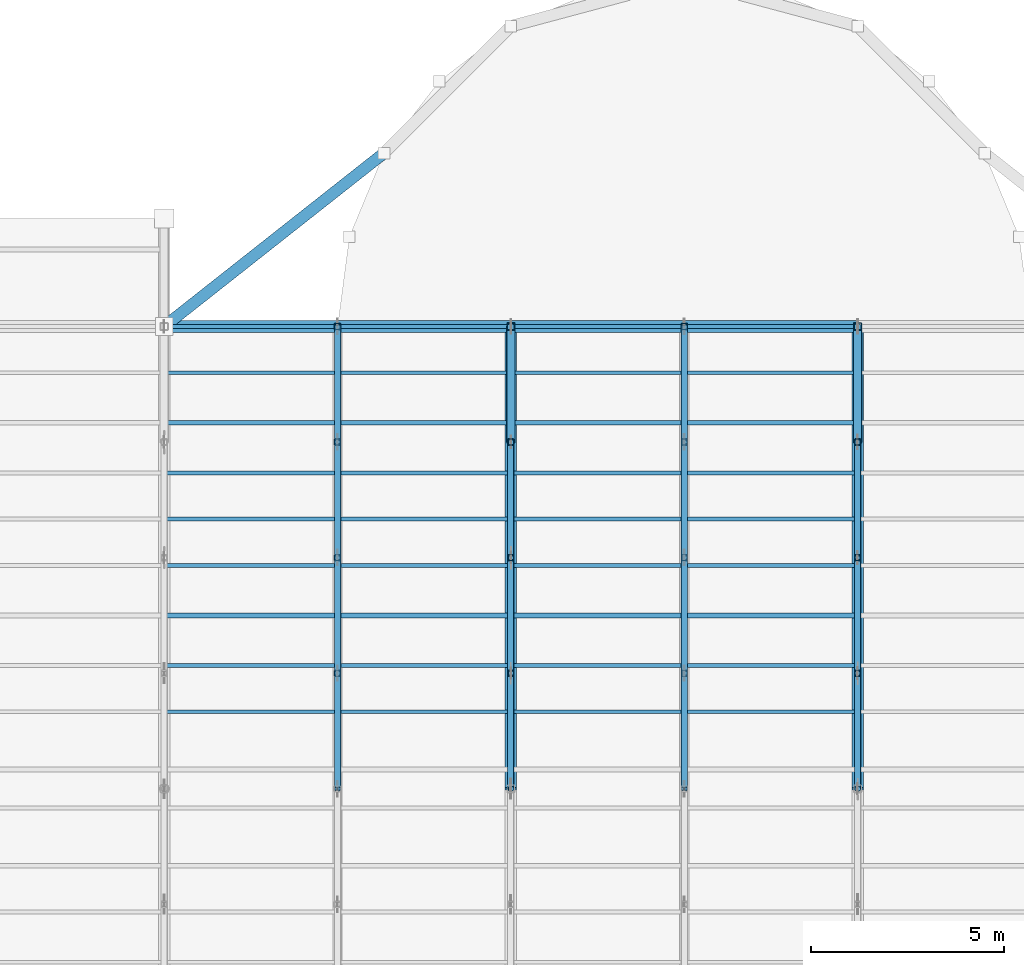
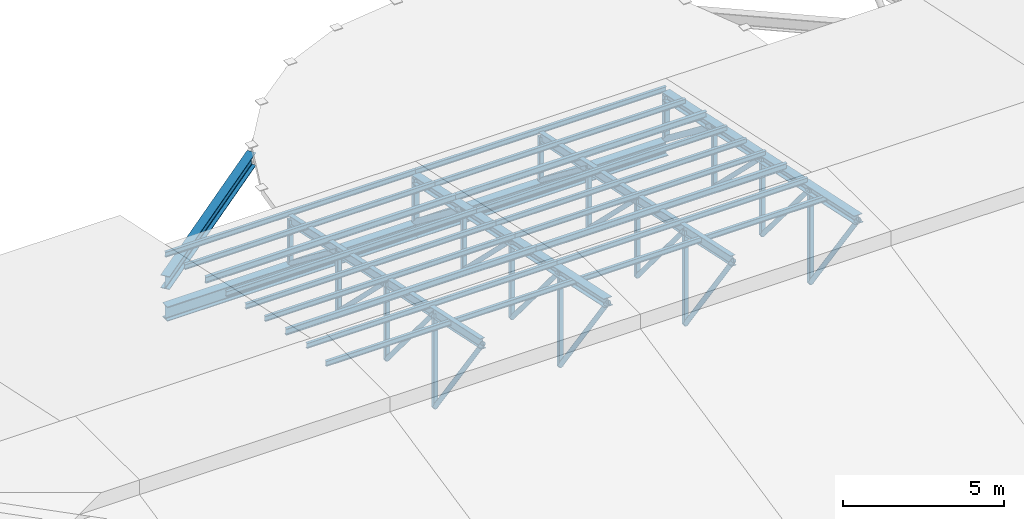
# One storey, part 19 of 43: 54 members, 3 beams.
"""IFC4 building model written with IfcOpenShell, lengths in metres."""

from ifc_helpers import new_model, si_unit, direction, frame, origin, origin_2d, place, context, subcontext, project, spatial, hollow_rectangle, hollow_circle, i_section, extrude, material, material_profile, profile_set, type_object, element, save


model = new_model("IFC4")

# Units and contexts
model_context = context("Model", 3, precision=1e-05, world=origin(), true_north=direction((0.0, 1.0)))
body_context = subcontext(model_context, "Body", "Model", "MODEL_VIEW")
ifc_project = project(units=[si_unit("LENGTHUNIT", "METRE"), si_unit("AREAUNIT", "SQUARE_METRE"), si_unit("VOLUMEUNIT", "CUBIC_METRE"), si_unit("PLANEANGLEUNIT", "RADIAN"), si_unit("MASSUNIT", "GRAM", prefix="KILO")], contexts=[model_context])

# Site, building, storey
site_placement = place(None, origin())
site = spatial("IfcSite", under=ifc_project, at=site_placement, CompositionType="ELEMENT")
building_placement = place(site_placement, origin())
building = spatial("IfcBuilding", under=site, at=building_placement, Name="Serraforn Aerial Cableway Station", CompositionType="ELEMENT")
storey_placement = place(building_placement, frame((0.0, 0.0, 18.300048828125)))
storey = spatial("IfcBuildingStorey", under=building, at=storey_placement, Name="RF", CompositionType="ELEMENT", Elevation=18.300048828125)

# Beams
ifc_material_1 = material(Name="Steel S355J2", Category="steel")
ifc_material_profile_1 = material_profile(ifc_material_1, i_section(OverallWidth=0.300048828125, OverallDepth=0.5, WebThickness=0.011962890625, FlangeThickness=0.02294921875, FilletRadius=0.027099609375, at=origin_2d()), Name="HEA 500")
ifc_profile_set_1 = profile_set([ifc_material_profile_1], Name="Steel S355J2")
beam_type_1 = type_object("IfcBeamType", Name="BM-ST-HEA500", PredefinedType="USERDEFINED", material=ifc_profile_set_1)
beam_placement = place(storey_placement, frame((45.60009765625, 42.0, -0.5), z_axis=(0.785189683878, 0.619255327253, 0.0), x_axis=(-0.619255327253, 0.785189683878, 0.0)))
element("IfcBeam", 1, at=beam_placement, inside=storey, type_object=beam_type_1, Name="Apse Roof Ring Girder 1", ObjectType="GIRDER", PredefinedType="USERDEFINED", context=body_context, shape_type="SweptSolid", body=[
    extrude(i_section(OverallWidth=0.300048828125, OverallDepth=0.5, WebThickness=0.011962890625, FlangeThickness=0.02294921875, FilletRadius=0.027099609375, at=origin_2d()), origin(), (0.0, 0.0, 1.0), 7.266845703125),
])
ifc_material_profile_2 = material_profile(ifc_material_1, i_section(OverallWidth=0.300048828125, OverallDepth=0.550048828125, WebThickness=0.014892578125, FlangeThickness=0.029052734375, FilletRadius=0.027099609375, at=origin_2d()), Name="HEB 550")
ifc_profile_set_2 = profile_set([ifc_material_profile_2], Name="Steel S355J2")
beam_type_2 = type_object("IfcBeamType", Name="BM-ST-HEB550", PredefinedType="USERDEFINED", material=ifc_profile_set_2)
for number, where, z_axis, x_axis, name in (
    (2, (45.60009765625, 42.0, -1.625), (1.0, 0.0, 0.0), (0.0, 1.0, 0.0), "Boarding Hall Eave Girder N-3"),
    (3, (54.60009765625, 42.0, -1.625), (1.0, 0.0, 0.0), (0.0, 1.0, 0.0), "Boarding Hall Eave Girder N-4"),
):
    element("IfcBeam", number, at=place(storey_placement, frame(where, z_axis=z_axis, x_axis=x_axis)), inside=storey, type_object=beam_type_2, Name=name, ObjectType="GIRDER", PredefinedType="USERDEFINED", context=body_context, shape_type="SweptSolid", body=[
        extrude(i_section(OverallWidth=0.300048828125, OverallDepth=0.550048828125, WebThickness=0.014892578125, FlangeThickness=0.029052734375, FilletRadius=0.027099609375, at=origin_2d()), origin(), (0.0, 0.0, 1.0), 9.0),
    ])

# Members
ifc_material_profile_3 = material_profile(ifc_material_1, hollow_circle(Radius=0.084228515625, WallThickness=0.008056640625, at=origin_2d()), Name="CHS 168.3x8.0")
ifc_profile_set_3 = profile_set([ifc_material_profile_3], Name="Steel S355J2")
member_type_1 = type_object("IfcMemberType", Name="MEM-DG-CHS168", PredefinedType="BRACE", material=ifc_profile_set_3)
member_1_placement = place(storey_placement, frame((54.60009765625, 30.0, 2.8759765625), z_axis=(0.0, 0.578856146563, -0.815429679118), x_axis=(-1.0, 0.0, 0.0)))
element("IfcMember", 4, at=member_1_placement, inside=storey, type_object=member_type_1, Name="Roof Truss TR-04 Diagonal 5", PredefinedType="BRACE", context=body_context, shape_type="SweptSolid", body=[
    extrude(hollow_circle(Radius=0.084228515625, WallThickness=0.008056640625, at=origin_2d()), origin(), (0.0, 0.0, 1.0), 5.1826171875),
])
member_2_placement = place(storey_placement, frame((54.60009765625, 33.0, 2.23828125), z_axis=(0.0, 0.641405529785, -0.767202024477), x_axis=(-1.0, 0.0, 0.0)))
element("IfcMember", 5, at=member_2_placement, inside=storey, type_object=member_type_1, Name="Roof Truss TR-04 Diagonal 6", PredefinedType="BRACE", context=body_context, shape_type="SweptSolid", body=[
    extrude(hollow_circle(Radius=0.084228515625, WallThickness=0.008056640625, at=origin_2d()), origin(), (0.0, 0.0, 1.0), 4.67724609375),
])
member_3_placement = place(storey_placement, frame((54.60009765625, 36.0, 1.6005859375), z_axis=(0.0, 0.71294245933, -0.701222539344), x_axis=(-1.0, 0.0, 0.0)))
element("IfcMember", 6, at=member_3_placement, inside=storey, type_object=member_type_1, Name="Roof Truss TR-04 Diagonal 7", PredefinedType="BRACE", context=body_context, shape_type="SweptSolid", body=[
    extrude(hollow_circle(Radius=0.084228515625, WallThickness=0.008056640625, at=origin_2d()), origin(), (0.0, 0.0, 1.0), 4.2080078125),
])
member_4_placement = place(storey_placement, frame((63.60009765625, 30.0, 2.8759765625), z_axis=(0.0, 0.578856146563, -0.815429679118), x_axis=(-1.0, 0.0, 0.0)))
element("IfcMember", 7, at=member_4_placement, inside=storey, type_object=member_type_1, Name="Roof Truss TR-05 Diagonal 5", PredefinedType="BRACE", context=body_context, shape_type="SweptSolid", body=[
    extrude(hollow_circle(Radius=0.084228515625, WallThickness=0.008056640625, at=origin_2d()), origin(), (0.0, 0.0, 1.0), 5.1826171875),
])
member_5_placement = place(storey_placement, frame((63.60009765625, 33.0, 2.23828125), z_axis=(0.0, 0.641405529785, -0.767202024477), x_axis=(-1.0, 0.0, 0.0)))
element("IfcMember", 8, at=member_5_placement, inside=storey, type_object=member_type_1, Name="Roof Truss TR-05 Diagonal 6", PredefinedType="BRACE", context=body_context, shape_type="SweptSolid", body=[
    extrude(hollow_circle(Radius=0.084228515625, WallThickness=0.008056640625, at=origin_2d()), origin(), (0.0, 0.0, 1.0), 4.67724609375),
])
member_6_placement = place(storey_placement, frame((63.60009765625, 36.0, 1.6005859375), z_axis=(0.0, 0.71294245933, -0.701222539344), x_axis=(-1.0, 0.0, 0.0)))
element("IfcMember", 9, at=member_6_placement, inside=storey, type_object=member_type_1, Name="Roof Truss TR-05 Diagonal 7", PredefinedType="BRACE", context=body_context, shape_type="SweptSolid", body=[
    extrude(hollow_circle(Radius=0.084228515625, WallThickness=0.008056640625, at=origin_2d()), origin(), (0.0, 0.0, 1.0), 4.2080078125),
])
member_7_placement = place(storey_placement, frame((50.10009765625, 30.0, 2.8759765625), z_axis=(0.0, 0.578856146563, -0.815429679118), x_axis=(-1.0, 0.0, 0.0)))
element("IfcMember", 10, at=member_7_placement, inside=storey, type_object=member_type_1, Name="Intermediate Truss TRM-03 Diagonal 5", PredefinedType="BRACE", context=body_context, shape_type="SweptSolid", body=[
    extrude(hollow_circle(Radius=0.084228515625, WallThickness=0.008056640625, at=origin_2d()), origin(), (0.0, 0.0, 1.0), 5.1826171875),
])
member_8_placement = place(storey_placement, frame((50.10009765625, 33.0, 2.23828125), z_axis=(0.0, 0.641405529785, -0.767202024477), x_axis=(-1.0, 0.0, 0.0)))
element("IfcMember", 11, at=member_8_placement, inside=storey, type_object=member_type_1, Name="Intermediate Truss TRM-03 Diagonal 6", PredefinedType="BRACE", context=body_context, shape_type="SweptSolid", body=[
    extrude(hollow_circle(Radius=0.084228515625, WallThickness=0.008056640625, at=origin_2d()), origin(), (0.0, 0.0, 1.0), 4.67724609375),
])
member_9_placement = place(storey_placement, frame((50.10009765625, 36.0, 1.6005859375), z_axis=(0.0, 0.71294245933, -0.701222539344), x_axis=(-1.0, 0.0, 0.0)))
element("IfcMember", 12, at=member_9_placement, inside=storey, type_object=member_type_1, Name="Intermediate Truss TRM-03 Diagonal 7", PredefinedType="BRACE", context=body_context, shape_type="SweptSolid", body=[
    extrude(hollow_circle(Radius=0.084228515625, WallThickness=0.008056640625, at=origin_2d()), origin(), (0.0, 0.0, 1.0), 4.2080078125),
])
member_10_placement = place(storey_placement, frame((50.10009765625, 39.0, 0.962890625), z_axis=(0.0, 0.791947867333, -0.610588712168), x_axis=(-1.0, 0.0, 0.0)))
element("IfcMember", 13, at=member_10_placement, inside=storey, type_object=member_type_1, Name="Intermediate Truss TRM-03 Diagonal 8", PredefinedType="BRACE", context=body_context, shape_type="SweptSolid", body=[
    extrude(hollow_circle(Radius=0.084228515625, WallThickness=0.008056640625, at=origin_2d()), origin(), (0.0, 0.0, 1.0), 3.7880859375),
])
member_11_placement = place(storey_placement, frame((59.10009765625, 30.0, 2.8759765625), z_axis=(0.0, 0.578856146563, -0.815429679118), x_axis=(-1.0, 0.0, 0.0)))
element("IfcMember", 14, at=member_11_placement, inside=storey, type_object=member_type_1, Name="Intermediate Truss TRM-04 Diagonal 5", PredefinedType="BRACE", context=body_context, shape_type="SweptSolid", body=[
    extrude(hollow_circle(Radius=0.084228515625, WallThickness=0.008056640625, at=origin_2d()), origin(), (0.0, 0.0, 1.0), 5.1826171875),
])
member_12_placement = place(storey_placement, frame((59.10009765625, 33.0, 2.23828125), z_axis=(0.0, 0.641405529785, -0.767202024477), x_axis=(-1.0, 0.0, 0.0)))
element("IfcMember", 15, at=member_12_placement, inside=storey, type_object=member_type_1, Name="Intermediate Truss TRM-04 Diagonal 6", PredefinedType="BRACE", context=body_context, shape_type="SweptSolid", body=[
    extrude(hollow_circle(Radius=0.084228515625, WallThickness=0.008056640625, at=origin_2d()), origin(), (0.0, 0.0, 1.0), 4.67724609375),
])
member_13_placement = place(storey_placement, frame((59.10009765625, 36.0, 1.6005859375), z_axis=(0.0, 0.71294245933, -0.701222539344), x_axis=(-1.0, 0.0, 0.0)))
element("IfcMember", 16, at=member_13_placement, inside=storey, type_object=member_type_1, Name="Intermediate Truss TRM-04 Diagonal 7", PredefinedType="BRACE", context=body_context, shape_type="SweptSolid", body=[
    extrude(hollow_circle(Radius=0.084228515625, WallThickness=0.008056640625, at=origin_2d()), origin(), (0.0, 0.0, 1.0), 4.2080078125),
])
member_14_placement = place(storey_placement, frame((59.10009765625, 39.0, 0.962890625), z_axis=(0.0, 0.791947867333, -0.610588712168), x_axis=(-1.0, 0.0, 0.0)))
element("IfcMember", 17, at=member_14_placement, inside=storey, type_object=member_type_1, Name="Intermediate Truss TRM-04 Diagonal 8", PredefinedType="BRACE", context=body_context, shape_type="SweptSolid", body=[
    extrude(hollow_circle(Radius=0.084228515625, WallThickness=0.008056640625, at=origin_2d()), origin(), (0.0, 0.0, 1.0), 3.7880859375),
])
ifc_material_profile_4 = material_profile(ifc_material_1, hollow_circle(Radius=0.109619140625, WallThickness=0.010009765625, at=origin_2d()), Name="CHS 219.1x10.0")
ifc_profile_set_4 = profile_set([ifc_material_profile_4], Name="Steel S355J2")
member_type_2 = type_object("IfcMemberType", Name="MEM-DG-CHS219", PredefinedType="BRACE", material=ifc_profile_set_4)
for number, where, z_axis, x_axis, name in (
    (18, (54.60009765625, 39.0, 0.962890625), (0.0, 0.791947867333, -0.610588712168), (-1.0, 0.0, 0.0), "Roof Truss TR-04 Diagonal 8"),
    (19, (63.60009765625, 39.0, 0.962890625), (0.0, 0.791947867333, -0.610588712168), (-1.0, 0.0, 0.0), "Roof Truss TR-05 Diagonal 8"),
):
    element("IfcMember", number, at=place(storey_placement, frame(where, z_axis=z_axis, x_axis=x_axis)), inside=storey, type_object=member_type_2, Name=name, PredefinedType="BRACE", context=body_context, shape_type="SweptSolid", body=[
        extrude(hollow_circle(Radius=0.109619140625, WallThickness=0.010009765625, at=origin_2d()), origin(), (0.0, 0.0, 1.0), 3.7880859375),
    ])
ifc_material_2 = material(Name="Steel S355JR", Category="steel")
ifc_material_profile_5 = material_profile(ifc_material_2, i_section(OverallWidth=0.10009765625, OverallDepth=0.199951171875, WebThickness=0.005615234375, FlangeThickness=0.008544921875, FilletRadius=0.011962890625, at=origin_2d()), Name="IPE 200")
ifc_profile_set_5 = profile_set([ifc_material_profile_5], Name="Steel S355JR")
member_type_3 = type_object("IfcMemberType", Name="MEM-PR-IPE200", PredefinedType="PURLIN", material=ifc_profile_set_5)
for number, where, z_axis, x_axis, name in (
    (20, (45.60009765625, 32.0, 2.48583984375), (1.0, 0.0, 0.0), (0.0, 1.0, 0.0), "Boarding Hall Purlin 3-9"),
    (21, (45.60009765625, 37.0, 1.632080078125), (1.0, 0.0, 0.0), (0.0, 1.0, 0.0), "Boarding Hall Purlin 3-11"),
    (22, (45.60009765625, 42.0, 0.5693359375), (1.0, 0.0, 0.0), (0.0, 1.0, 0.0), "Boarding Hall Purlin 3-13"),
    (23, (54.60009765625, 32.0, 2.48583984375), (1.0, 0.0, 0.0), (0.0, 1.0, 0.0), "Boarding Hall Purlin 4-9"),
    (24, (54.60009765625, 37.0, 1.632080078125), (1.0, 0.0, 0.0), (0.0, 1.0, 0.0), "Boarding Hall Purlin 4-11"),
    (25, (54.60009765625, 42.0, 0.5693359375), (1.0, 0.0, 0.0), (0.0, 1.0, 0.0), "Boarding Hall Purlin 4-13"),
    (26, (45.60009765625, 33.199951171875, 2.439697265625), (1.0, 0.0, 0.0), (0.0, 1.0, 0.0), "Boarding Hall Secondary Purlin 3-5"),
    (27, (45.60009765625, 35.800048828125, 1.88720703125), (1.0, 0.0, 0.0), (0.0, 1.0, 0.0), "Boarding Hall Secondary Purlin 3-6"),
    (28, (45.60009765625, 38.199951171875, 1.376953125), (1.0, 0.0, 0.0), (0.0, 1.0, 0.0), "Boarding Hall Secondary Purlin 3-7"),
    (29, (45.60009765625, 40.800048828125, 0.824462890625), (1.0, 0.0, 0.0), (0.0, 1.0, 0.0), "Boarding Hall Secondary Purlin 3-8"),
    (30, (54.60009765625, 33.199951171875, 2.439697265625), (1.0, 0.0, 0.0), (0.0, 1.0, 0.0), "Boarding Hall Secondary Purlin 4-5"),
    (31, (54.60009765625, 35.800048828125, 1.88720703125), (1.0, 0.0, 0.0), (0.0, 1.0, 0.0), "Boarding Hall Secondary Purlin 4-6"),
    (32, (54.60009765625, 38.199951171875, 1.376953125), (1.0, 0.0, 0.0), (0.0, 1.0, 0.0), "Boarding Hall Secondary Purlin 4-7"),
    (33, (54.60009765625, 40.800048828125, 0.824462890625), (1.0, 0.0, 0.0), (0.0, 1.0, 0.0), "Boarding Hall Secondary Purlin 4-8"),
):
    element("IfcMember", number, at=place(storey_placement, frame(where, z_axis=z_axis, x_axis=x_axis)), inside=storey, type_object=member_type_3, Name=name, PredefinedType="PURLIN", context=body_context, shape_type="SweptSolid", body=[
        extrude(i_section(OverallWidth=0.10009765625, OverallDepth=0.199951171875, WebThickness=0.005615234375, FlangeThickness=0.008544921875, FilletRadius=0.011962890625, at=origin_2d()), origin(), (0.0, 0.0, 1.0), 9.0),
    ])
ifc_material_profile_6 = material_profile(ifc_material_2, i_section(OverallWidth=0.1201171875, OverallDepth=0.239990234375, WebThickness=0.006103515625, FlangeThickness=0.009765625, FilletRadius=0.014892578125, at=origin_2d()), Name="IPE 240")
ifc_profile_set_6 = profile_set([ifc_material_profile_6], Name="Steel S355JR")
member_type_4 = type_object("IfcMemberType", Name="MEM-PR-IPE240", PredefinedType="PURLIN", material=ifc_profile_set_6)
for number, where, z_axis, x_axis, name in (
    (34, (45.60009765625, 34.5, 2.183349609375), (1.0, 0.0, 0.0), (0.0, 1.0, 0.0), "Boarding Hall Purlin 3-10"),
    (35, (45.60009765625, 39.5, 1.12060546875), (1.0, 0.0, 0.0), (0.0, 1.0, 0.0), "Boarding Hall Purlin 3-12"),
    (36, (54.60009765625, 34.5, 2.183349609375), (1.0, 0.0, 0.0), (0.0, 1.0, 0.0), "Boarding Hall Purlin 4-10"),
    (37, (54.60009765625, 39.5, 1.12060546875), (1.0, 0.0, 0.0), (0.0, 1.0, 0.0), "Boarding Hall Purlin 4-12"),
):
    element("IfcMember", number, at=place(storey_placement, frame(where, z_axis=z_axis, x_axis=x_axis)), inside=storey, type_object=member_type_4, Name=name, PredefinedType="PURLIN", context=body_context, shape_type="SweptSolid", body=[
        extrude(i_section(OverallWidth=0.1201171875, OverallDepth=0.239990234375, WebThickness=0.006103515625, FlangeThickness=0.009765625, FilletRadius=0.014892578125, at=origin_2d()), origin(), (0.0, 0.0, 1.0), 9.0),
    ])
ifc_material_profile_7 = material_profile(ifc_material_1, i_section(OverallWidth=0.300048828125, OverallDepth=0.300048828125, WebThickness=0.010986328125, FlangeThickness=0.01904296875, FilletRadius=0.027099609375, at=origin_2d()), Name="HEB 300")
ifc_profile_set_7 = profile_set([ifc_material_profile_7], Name="Steel S355J2")
member_type_5 = type_object("IfcMemberType", Name="MEM-TC-HEB300", PredefinedType="CHORD", material=ifc_profile_set_7)
for number, where, z_axis, x_axis, name in (
    (38, (54.60009765625, 30.0, 2.8759765625), (0.0, 0.978145901394, -0.20791968542), (-1.0, 0.0, 0.0), "Roof Truss TR-04 Top Chord 2"),
    (39, (63.60009765625, 30.0, 2.8759765625), (0.0, 0.978145901394, -0.20791968542), (-1.0, 0.0, 0.0), "Roof Truss TR-05 Top Chord 2"),
):
    element("IfcMember", number, at=place(storey_placement, frame(where, z_axis=z_axis, x_axis=x_axis)), inside=storey, type_object=member_type_5, Name=name, PredefinedType="CHORD", context=body_context, shape_type="SweptSolid", body=[
        extrude(i_section(OverallWidth=0.300048828125, OverallDepth=0.300048828125, WebThickness=0.010986328125, FlangeThickness=0.01904296875, FilletRadius=0.027099609375, at=origin_2d()), origin(), (0.0, 0.0, 1.0), 12.26806640625),
    ])
ifc_material_profile_8 = material_profile(ifc_material_1, i_section(OverallWidth=0.169921875, OverallDepth=0.360107421875, WebThickness=0.008056640625, FlangeThickness=0.0126953125, FilletRadius=0.01806640625, at=origin_2d()), Name="IPE 360")
ifc_profile_set_8 = profile_set([ifc_material_profile_8], Name="Steel S355J2")
member_type_6 = type_object("IfcMemberType", Name="MEM-TC-IPE360", PredefinedType="CHORD", material=ifc_profile_set_8)
for number, where, z_axis, x_axis, name in (
    (40, (50.10009765625, 30.0, 2.8759765625), (0.0, 0.978145901394, -0.20791968542), (-1.0, 0.0, 0.0), "Intermediate Truss TRM-03 Top Chord 2"),
    (41, (59.10009765625, 30.0, 2.8759765625), (0.0, 0.978145901394, -0.20791968542), (-1.0, 0.0, 0.0), "Intermediate Truss TRM-04 Top Chord 2"),
):
    element("IfcMember", number, at=place(storey_placement, frame(where, z_axis=z_axis, x_axis=x_axis)), inside=storey, type_object=member_type_6, Name=name, PredefinedType="CHORD", context=body_context, shape_type="SweptSolid", body=[
        extrude(i_section(OverallWidth=0.169921875, OverallDepth=0.360107421875, WebThickness=0.008056640625, FlangeThickness=0.0126953125, FilletRadius=0.01806640625, at=origin_2d()), origin(), (0.0, 0.0, 1.0), 12.26806640625),
    ])
ifc_material_profile_9 = material_profile(ifc_material_1, hollow_rectangle(XDim=0.159912109375, YDim=0.159912109375, WallThickness=0.008056640625, InnerFilletRadius=0.008056640625, OuterFilletRadius=0.01611328125, at=origin_2d()), Name="SHS 160x160x8.0")
ifc_profile_set_9 = profile_set([ifc_material_profile_9], Name="Steel S355J2")
member_type_7 = type_object("IfcMemberType", Name="MEM-VP-SHS160", PredefinedType="STRUT", material=ifc_profile_set_9)
member_15_placement = place(storey_placement, frame((54.60009765625, 33.0, -1.360107421875), z_axis=(0.0, 0.0, 1.0), x_axis=(1.0, 0.0, 0.0)))
element("IfcMember", 42, at=member_15_placement, inside=storey, type_object=member_type_7, Name="Roof Truss TR-04 Vertical Post 6", PredefinedType="STRUT", context=body_context, shape_type="SweptSolid", body=[
    extrude(hollow_rectangle(XDim=0.159912109375, YDim=0.159912109375, WallThickness=0.008056640625, InnerFilletRadius=0.008056640625, OuterFilletRadius=0.01611328125, at=origin_2d()), origin(), (0.0, 0.0, 1.0), 3.6083984375),
])
member_16_placement = place(storey_placement, frame((54.60009765625, 36.0, -1.360107421875), z_axis=(0.0, 0.0, 1.0), x_axis=(1.0, 0.0, 0.0)))
element("IfcMember", 43, at=member_16_placement, inside=storey, type_object=member_type_7, Name="Roof Truss TR-04 Vertical Post 7", PredefinedType="STRUT", context=body_context, shape_type="SweptSolid", body=[
    extrude(hollow_rectangle(XDim=0.159912109375, YDim=0.159912109375, WallThickness=0.008056640625, InnerFilletRadius=0.008056640625, OuterFilletRadius=0.01611328125, at=origin_2d()), origin(), (0.0, 0.0, 1.0), 2.970703125),
])
member_17_placement = place(storey_placement, frame((54.60009765625, 39.0, -1.360107421875), z_axis=(0.0, 0.0, 1.0), x_axis=(1.0, 0.0, 0.0)))
element("IfcMember", 44, at=member_17_placement, inside=storey, type_object=member_type_7, Name="Roof Truss TR-04 Vertical Post 8", PredefinedType="STRUT", context=body_context, shape_type="SweptSolid", body=[
    extrude(hollow_rectangle(XDim=0.159912109375, YDim=0.159912109375, WallThickness=0.008056640625, InnerFilletRadius=0.008056640625, OuterFilletRadius=0.01611328125, at=origin_2d()), origin(), (0.0, 0.0, 1.0), 2.3330078125),
])
member_18_placement = place(storey_placement, frame((63.60009765625, 33.0, -1.360107421875), z_axis=(0.0, 0.0, 1.0), x_axis=(1.0, 0.0, 0.0)))
element("IfcMember", 45, at=member_18_placement, inside=storey, type_object=member_type_7, Name="Roof Truss TR-05 Vertical Post 6", PredefinedType="STRUT", context=body_context, shape_type="SweptSolid", body=[
    extrude(hollow_rectangle(XDim=0.159912109375, YDim=0.159912109375, WallThickness=0.008056640625, InnerFilletRadius=0.008056640625, OuterFilletRadius=0.01611328125, at=origin_2d()), origin(), (0.0, 0.0, 1.0), 3.6083984375),
])
member_19_placement = place(storey_placement, frame((63.60009765625, 36.0, -1.360107421875), z_axis=(0.0, 0.0, 1.0), x_axis=(1.0, 0.0, 0.0)))
element("IfcMember", 46, at=member_19_placement, inside=storey, type_object=member_type_7, Name="Roof Truss TR-05 Vertical Post 7", PredefinedType="STRUT", context=body_context, shape_type="SweptSolid", body=[
    extrude(hollow_rectangle(XDim=0.159912109375, YDim=0.159912109375, WallThickness=0.008056640625, InnerFilletRadius=0.008056640625, OuterFilletRadius=0.01611328125, at=origin_2d()), origin(), (0.0, 0.0, 1.0), 2.970703125),
])
member_20_placement = place(storey_placement, frame((63.60009765625, 39.0, -1.360107421875), z_axis=(0.0, 0.0, 1.0), x_axis=(1.0, 0.0, 0.0)))
element("IfcMember", 47, at=member_20_placement, inside=storey, type_object=member_type_7, Name="Roof Truss TR-05 Vertical Post 8", PredefinedType="STRUT", context=body_context, shape_type="SweptSolid", body=[
    extrude(hollow_rectangle(XDim=0.159912109375, YDim=0.159912109375, WallThickness=0.008056640625, InnerFilletRadius=0.008056640625, OuterFilletRadius=0.01611328125, at=origin_2d()), origin(), (0.0, 0.0, 1.0), 2.3330078125),
])
member_21_placement = place(storey_placement, frame((50.10009765625, 33.0, -1.360107421875), z_axis=(0.0, 0.0, 1.0), x_axis=(1.0, 0.0, 0.0)))
element("IfcMember", 48, at=member_21_placement, inside=storey, type_object=member_type_7, Name="Intermediate Truss TRM-03 Post 6", PredefinedType="STRUT", context=body_context, shape_type="SweptSolid", body=[
    extrude(hollow_rectangle(XDim=0.159912109375, YDim=0.159912109375, WallThickness=0.008056640625, InnerFilletRadius=0.008056640625, OuterFilletRadius=0.01611328125, at=origin_2d()), origin(), (0.0, 0.0, 1.0), 3.6083984375),
])
member_22_placement = place(storey_placement, frame((50.10009765625, 36.0, -1.360107421875), z_axis=(0.0, 0.0, 1.0), x_axis=(1.0, 0.0, 0.0)))
element("IfcMember", 49, at=member_22_placement, inside=storey, type_object=member_type_7, Name="Intermediate Truss TRM-03 Post 7", PredefinedType="STRUT", context=body_context, shape_type="SweptSolid", body=[
    extrude(hollow_rectangle(XDim=0.159912109375, YDim=0.159912109375, WallThickness=0.008056640625, InnerFilletRadius=0.008056640625, OuterFilletRadius=0.01611328125, at=origin_2d()), origin(), (0.0, 0.0, 1.0), 2.970703125),
])
member_23_placement = place(storey_placement, frame((50.10009765625, 39.0, -1.360107421875), z_axis=(0.0, 0.0, 1.0), x_axis=(1.0, 0.0, 0.0)))
element("IfcMember", 50, at=member_23_placement, inside=storey, type_object=member_type_7, Name="Intermediate Truss TRM-03 Post 8", PredefinedType="STRUT", context=body_context, shape_type="SweptSolid", body=[
    extrude(hollow_rectangle(XDim=0.159912109375, YDim=0.159912109375, WallThickness=0.008056640625, InnerFilletRadius=0.008056640625, OuterFilletRadius=0.01611328125, at=origin_2d()), origin(), (0.0, 0.0, 1.0), 2.3330078125),
])
member_24_placement = place(storey_placement, frame((50.10009765625, 42.0, -1.360107421875), z_axis=(0.0, 0.0, 1.0), x_axis=(1.0, 0.0, 0.0)))
element("IfcMember", 51, at=member_24_placement, inside=storey, type_object=member_type_7, Name="Intermediate Truss TRM-03 Post 9", PredefinedType="STRUT", context=body_context, shape_type="SweptSolid", body=[
    extrude(hollow_rectangle(XDim=0.159912109375, YDim=0.159912109375, WallThickness=0.008056640625, InnerFilletRadius=0.008056640625, OuterFilletRadius=0.01611328125, at=origin_2d()), origin(), (0.0, 0.0, 1.0), 1.6953125),
])
member_25_placement = place(storey_placement, frame((59.10009765625, 33.0, -1.360107421875), z_axis=(0.0, 0.0, 1.0), x_axis=(1.0, 0.0, 0.0)))
element("IfcMember", 52, at=member_25_placement, inside=storey, type_object=member_type_7, Name="Intermediate Truss TRM-04 Post 6", PredefinedType="STRUT", context=body_context, shape_type="SweptSolid", body=[
    extrude(hollow_rectangle(XDim=0.159912109375, YDim=0.159912109375, WallThickness=0.008056640625, InnerFilletRadius=0.008056640625, OuterFilletRadius=0.01611328125, at=origin_2d()), origin(), (0.0, 0.0, 1.0), 3.6083984375),
])
member_26_placement = place(storey_placement, frame((59.10009765625, 36.0, -1.360107421875), z_axis=(0.0, 0.0, 1.0), x_axis=(1.0, 0.0, 0.0)))
element("IfcMember", 53, at=member_26_placement, inside=storey, type_object=member_type_7, Name="Intermediate Truss TRM-04 Post 7", PredefinedType="STRUT", context=body_context, shape_type="SweptSolid", body=[
    extrude(hollow_rectangle(XDim=0.159912109375, YDim=0.159912109375, WallThickness=0.008056640625, InnerFilletRadius=0.008056640625, OuterFilletRadius=0.01611328125, at=origin_2d()), origin(), (0.0, 0.0, 1.0), 2.970703125),
])
member_27_placement = place(storey_placement, frame((59.10009765625, 39.0, -1.360107421875), z_axis=(0.0, 0.0, 1.0), x_axis=(1.0, 0.0, 0.0)))
element("IfcMember", 54, at=member_27_placement, inside=storey, type_object=member_type_7, Name="Intermediate Truss TRM-04 Post 8", PredefinedType="STRUT", context=body_context, shape_type="SweptSolid", body=[
    extrude(hollow_rectangle(XDim=0.159912109375, YDim=0.159912109375, WallThickness=0.008056640625, InnerFilletRadius=0.008056640625, OuterFilletRadius=0.01611328125, at=origin_2d()), origin(), (0.0, 0.0, 1.0), 2.3330078125),
])
member_28_placement = place(storey_placement, frame((59.10009765625, 42.0, -1.360107421875), z_axis=(0.0, 0.0, 1.0), x_axis=(1.0, 0.0, 0.0)))
element("IfcMember", 55, at=member_28_placement, inside=storey, type_object=member_type_7, Name="Intermediate Truss TRM-04 Post 9", PredefinedType="STRUT", context=body_context, shape_type="SweptSolid", body=[
    extrude(hollow_rectangle(XDim=0.159912109375, YDim=0.159912109375, WallThickness=0.008056640625, InnerFilletRadius=0.008056640625, OuterFilletRadius=0.01611328125, at=origin_2d()), origin(), (0.0, 0.0, 1.0), 1.6953125),
])
ifc_material_profile_10 = material_profile(ifc_material_1, hollow_rectangle(XDim=0.199951171875, YDim=0.199951171875, WallThickness=0.010009765625, InnerFilletRadius=0.010009765625, OuterFilletRadius=0.02001953125, at=origin_2d()), Name="SHS 200x200x10.0")
ifc_profile_set_10 = profile_set([ifc_material_profile_10], Name="Steel S355J2")
member_type_8 = type_object("IfcMemberType", Name="MEM-VP-SHS200", PredefinedType="STRUT", material=ifc_profile_set_10)
for number, where, z_axis, x_axis, name in (
    (56, (54.60009765625, 42.0, -1.360107421875), (0.0, 0.0, 1.0), (1.0, 0.0, 0.0), "Roof Truss TR-04 Vertical Post 9"),
    (57, (63.60009765625, 42.0, -1.360107421875), (0.0, 0.0, 1.0), (1.0, 0.0, 0.0), "Roof Truss TR-05 Vertical Post 9"),
):
    element("IfcMember", number, at=place(storey_placement, frame(where, z_axis=z_axis, x_axis=x_axis)), inside=storey, type_object=member_type_8, Name=name, PredefinedType="STRUT", context=body_context, shape_type="SweptSolid", body=[
        extrude(hollow_rectangle(XDim=0.199951171875, YDim=0.199951171875, WallThickness=0.010009765625, InnerFilletRadius=0.010009765625, OuterFilletRadius=0.02001953125, at=origin_2d()), origin(), (0.0, 0.0, 1.0), 1.6953125),
    ])

save(model, "model.ifc")
